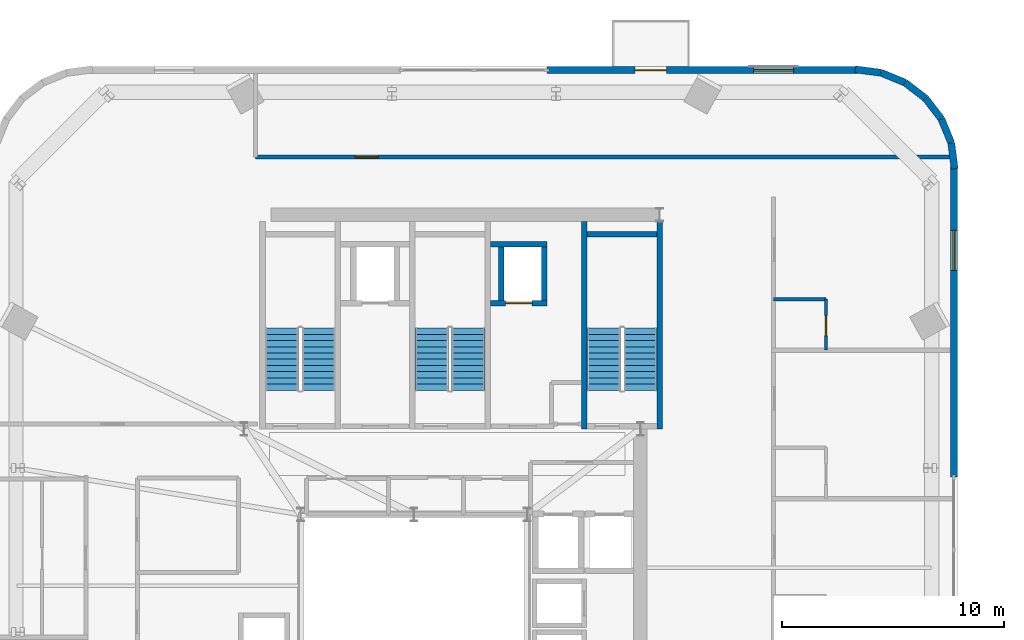
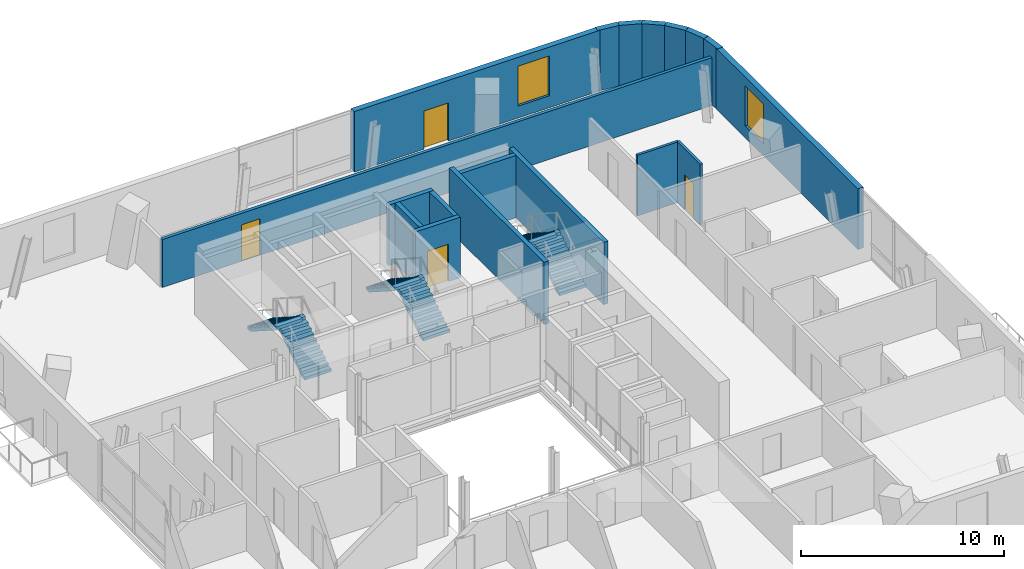
# One storey, part 10 of 14: 18 walls, 6 stair flights, 4 doors, 2 windows, 6 openings, 3 elements without a shape of their own.
"""IFC4 building model written with IfcOpenShell, lengths in metres."""

from ifc_helpers import new_model, si_unit, direction, frame, frame_2d, origin, place, context, subcontext, project, spatial, polyline, rectangle, outline, extrude, source, transform, mapped, material, layer, layer_set, type_object, element, fill, aggregate, save


model = new_model("IFC4")

# Units and contexts
model_context = context("Model", 3, precision=1e-05, world=origin(), true_north=direction((0.0, 1.0)))
body_context = subcontext(model_context, "Body", "Model", "MODEL_VIEW")
ifc_project = project(units=[si_unit("LENGTHUNIT", "METRE"), si_unit("AREAUNIT", "SQUARE_METRE"), si_unit("VOLUMEUNIT", "CUBIC_METRE"), si_unit("PLANEANGLEUNIT", "RADIAN"), si_unit("MASSUNIT", "GRAM", prefix="KILO")], contexts=[model_context])

# Site, building, storey
site_placement = place(None, origin())
site = spatial("IfcSite", under=ifc_project, at=site_placement, CompositionType="ELEMENT")
building_placement = place(site_placement, origin())
building = spatial("IfcBuilding", under=site, at=building_placement, Name="Vardaveli Station Tower", CompositionType="ELEMENT")
storey_placement = place(building_placement, frame((0.0, 0.0, 266.39990234375)))
storey = spatial("IfcBuildingStorey", under=building, at=storey_placement, Name="L68", CompositionType="ELEMENT", Elevation=266.39990234375)

# Walls
ifc_material_1 = material(Name="Precast concrete C45/55", Category="concrete")
ifc_layer_1 = layer(ifc_material_1, 0.320068359375, Name="Precast concrete C45/55")
ifc_layer_set_1 = layer_set([ifc_layer_1], Name="Precast concrete C45/55")
wall_type_1 = type_object("IfcWallType", Name="WAL-EXT-STONE-320", PredefinedType="SOLIDWALL", material=ifc_layer_set_1)
shared_shape_1 = source(origin(), body_context, "Body", "SweptSolid", [
    extrude(rectangle(XDim=1.169921875, YDim=0.320068359375, at=frame_2d((0.5849609375, 0.0))), origin(), (0.0, 0.0, 1.0), 3.650146484375),
])
wall_1_placement = place(storey_placement, frame((57.3408203125, 46.704833984375, 0.0), z_axis=(0.0, 0.0, 1.0), x_axis=(-0.99175563563, 0.128143510159, 0.0)))
element("IfcWall", 1, at=wall_1_placement, inside=storey, type_object=wall_type_1, Name="EW-L68-CR3-6", PredefinedType="SOLIDWALL", context=body_context, shape_type="MappedRepresentation", body=[
    mapped(shared_shape_1, transform((0.0, 0.0, 0.0), scale=1.0)),
])
shared_shape_2 = source(origin(), body_context, "Body", "SweptSolid", [
    extrude(rectangle(XDim=1.1689453125, YDim=0.320068359375, at=frame_2d((0.58447265625, 0.0))), origin(), (0.0, 0.0, 1.0), 3.650146484375),
])
for number, where, z_axis, x_axis, name in (
    (2, (60.5048828125, 43.540771484375, 0.0), (0.0, 0.0, 1.0), (-0.380949381552, 0.924595894808, 0.0), "EW-L68-CR3-2"),
    (3, (58.421630859375, 46.259521484375, 0.0), (0.0, 0.0, 1.0), (-0.924595894808, 0.380949381552, 0.0), "EW-L68-CR3-5"),
):
    element("IfcWall", number, at=place(storey_placement, frame(where, z_axis=z_axis, x_axis=x_axis)), inside=storey, type_object=wall_type_1, Name=name, PredefinedType="SOLIDWALL", context=body_context, shape_type="MappedRepresentation", body=[
        mapped(shared_shape_2, transform((0.0, 0.0, 0.0), scale=1.0)),
    ])
shared_shape_3 = source(origin(), body_context, "Body", "SweptSolid", [
    extrude(rectangle(XDim=1.168212890625, YDim=0.320068359375, at=frame_2d((0.583984375, 0.0))), origin(), (0.0, 0.0, 1.0), 3.650146484375),
])
for number, where, z_axis, x_axis, name in (
    (4, (60.0595703125, 44.62158203125, 0.0), (0.0, 0.0, 1.0), (-0.608326246486, 0.793687078033, 0.0), "EW-L68-CR3-3"),
    (5, (59.348876953125, 45.548828125, 0.0), (0.0, 0.0, 1.0), (-0.793687078033, 0.608326246486, 0.0), "EW-L68-CR3-4"),
):
    element("IfcWall", number, at=place(storey_placement, frame(where, z_axis=z_axis, x_axis=x_axis)), inside=storey, type_object=wall_type_1, Name=name, PredefinedType="SOLIDWALL", context=body_context, shape_type="MappedRepresentation", body=[
        mapped(shared_shape_3, transform((0.0, 0.0, 0.0), scale=1.0)),
    ])

# Wall, openings, door, window
shared_shape_4 = source(origin(), body_context, "Body", "SweptSolid", [
    extrude(rectangle(XDim=13.97998046875, YDim=0.320068359375, at=frame_2d((6.989990234375, 0.0))), origin(), (0.0, 0.0, 1.0), 3.650146484375),
])
wall_2_placement = place(storey_placement, frame((56.280029296875, 46.820068359375, 0.0), z_axis=(0.0, 0.0, 1.0), x_axis=(-1.0, 0.0, 0.0)))
wall_2 = element("IfcWall", 6, at=wall_2_placement, inside=storey, type_object=wall_type_1, Name="EW-L68-N1", PredefinedType="SOLIDWALL", context=body_context, shape_type="MappedRepresentation", body=[
    mapped(shared_shape_4, transform((0.0, 0.0, 0.0), scale=1.0)),
])
shared_shape_5 = source(origin(), body_context, "Body", "SweptSolid", [
    extrude(rectangle(XDim=1.39990234375, YDim=2.300048828125, at=frame_2d((0.699951171875, 1.14990234375))), frame((0.0, 0.169921875, 0.0), z_axis=(0.0, -1.0, 0.0), x_axis=(1.0, 0.0, 0.0)), (0.0, 0.0, 1.0), 0.340087890625),
])
opening_1_placement = place(wall_2_placement, frame((8.612548828125, 0.0, 0.0)))
opening_1 = element("IfcOpeningElement", 7, at=opening_1_placement, cuts=wall_2, Name="Opening D-09", PredefinedType="OPENING", context=body_context, shape_type="MappedRepresentation", body=[
    mapped(shared_shape_5, transform((0.0, 0.0, 0.0), scale=1.0)),
])
shared_shape_6 = source(origin(), body_context, "Body", "SweptSolid", [
    extrude(rectangle(XDim=1.800048828125, YDim=2.39990234375, at=frame_2d((0.89990234375, 1.199951171875))), frame((0.0, 0.169921875, 0.0), z_axis=(0.0, -1.0, 0.0), x_axis=(1.0, 0.0, 0.0)), (0.0, 0.0, 1.0), 0.340087890625),
])
opening_2_placement = place(wall_2_placement, frame((2.881103515625, 0.0, 0.719970703125)))
opening_2 = element("IfcOpeningElement", 8, at=opening_2_placement, cuts=wall_2, Name="Opening W-05", PredefinedType="OPENING", context=body_context, shape_type="MappedRepresentation", body=[
    mapped(shared_shape_6, transform((0.0, 0.0, 0.0), scale=1.0)),
])
ifc_material_2 = material(Name="Thermally broken aluminium glass", Category="aluminium")
door_type_1 = type_object("IfcDoorType", Name="DR-LOG-1400x2300", OperationType="DOUBLE_DOOR_SLIDING", PredefinedType="DOOR", material=ifc_material_2)
shared_shape_7 = source(origin(), body_context, "Body", "SweptSolid", [
    extrude(rectangle(XDim=1.39990234375, YDim=2.300048828125, at=frame_2d((0.699951171875, 1.14990234375))), frame((0.0, 0.02490234375, 0.0), z_axis=(0.0, -1.0, 0.0), x_axis=(1.0, 0.0, 0.0)), (0.0, 0.0, 1.0), 0.050048828125),
])
door_1_placement = place(opening_1_placement, frame((1.39990234375, 0.0, 0.0), z_axis=(0.0, 0.0, 1.0), x_axis=(-1.0, 0.0, 0.0)))
door_1 = element("IfcDoor", 9, at=door_1_placement, inside=storey, type_object=door_type_1, Name="DLG-L68-N", OperationType="DOUBLE_DOOR_SLIDING", OverallHeight=2.300048828125, OverallWidth=1.39990234375, PredefinedType="DOOR", context=body_context, shape_type="MappedRepresentation", body=[
    mapped(shared_shape_7, transform((0.0, 0.0, 0.0), scale=1.0)),
])
fill(opening_1, door_1)
ifc_material_3 = material(Name="Low-E solar-control glass", Category="glass")
window_type = type_object("IfcWindowType", Name="WIN-HIGH-1800x2400", PartitioningType="SINGLE_PANEL", PredefinedType="WINDOW", material=ifc_material_3)
shared_shape_8 = source(origin(), body_context, "Body", "SweptSolid", [
    extrude(rectangle(XDim=1.800048828125, YDim=2.39990234375, at=frame_2d((0.89990234375, 1.199951171875))), frame((0.0, 0.030029296875, 0.0), z_axis=(0.0, -1.0, 0.0), x_axis=(1.0, 0.0, 0.0)), (0.0, 0.0, 1.0), 0.06005859375),
])
window_1_placement = place(opening_2_placement, origin())
window_1 = element("IfcWindow", 10, at=window_1_placement, inside=storey, type_object=window_type, Name="WN-L68-N1", OverallHeight=2.39990234375, OverallWidth=1.800048828125, PartitioningType="SINGLE_PANEL", PredefinedType="WINDOW", context=body_context, shape_type="MappedRepresentation", body=[
    mapped(shared_shape_8, transform((0.0, 0.0, 0.0), scale=1.0)),
])
fill(opening_2, window_1)

# Wall, opening, window
wall_3_placement = place(storey_placement, frame((60.6201171875, 28.5, 0.0), z_axis=(0.0, 0.0, 1.0), x_axis=(0.0, 1.0, 0.0)))
wall_3 = element("IfcWall", 11, at=wall_3_placement, inside=storey, type_object=wall_type_1, Name="EW-L68-E2", PredefinedType="SOLIDWALL", context=body_context, shape_type="MappedRepresentation", body=[
    mapped(shared_shape_4, transform((0.0, 0.0, 0.0), scale=1.0)),
])
opening_3_placement = place(wall_3_placement, frame((9.299072265625, 0.0, 0.719970703125)))
opening_3 = element("IfcOpeningElement", 12, at=opening_3_placement, cuts=wall_3, Name="Opening W-05", PredefinedType="OPENING", context=body_context, shape_type="MappedRepresentation", body=[
    mapped(shared_shape_6, transform((0.0, 0.0, 0.0), scale=1.0)),
])
window_2_placement = place(opening_3_placement, origin())
window_2 = element("IfcWindow", 13, at=window_2_placement, inside=storey, type_object=window_type, Name="WN-L68-E2", OverallHeight=2.39990234375, OverallWidth=1.800048828125, PartitioningType="SINGLE_PANEL", PredefinedType="WINDOW", context=body_context, shape_type="MappedRepresentation", body=[
    mapped(shared_shape_8, transform((0.0, 0.0, 0.0), scale=1.0)),
])
fill(opening_3, window_2)

# Walls
shared_shape_9 = source(origin(), body_context, "Body", "SweptSolid", [
    extrude(rectangle(XDim=1.169677734375, YDim=0.320068359375, at=frame_2d((0.5849609375, 0.0))), origin(), (0.0, 0.0, 1.0), 3.650146484375),
])
wall_4_placement = place(storey_placement, frame((60.654541015625, 42.380615234375, 0.0), z_axis=(0.0, 0.0, 1.0), x_axis=(-0.127938226201, 0.991782138515, 0.0)))
element("IfcWall", 14, at=wall_4_placement, inside=storey, type_object=wall_type_1, Name="EW-L68-CR3-1", PredefinedType="SOLIDWALL", context=body_context, shape_type="MappedRepresentation", body=[
    mapped(shared_shape_9, transform((0.0, 0.0, 0.0), scale=1.0)),
])
ifc_material_4 = material(Name="Concrete C40/50", Category="concrete")
ifc_layer_2 = layer(ifc_material_4, 0.25, Name="Concrete C40/50")
ifc_layer_set_2 = layer_set([ifc_layer_2], Name="Concrete C40/50")
wall_type_2 = type_object("IfcWallType", Name="WAL-SHAFT-250", PredefinedType="SOLIDWALL", material=ifc_layer_set_2)
shared_shape_10 = source(origin(), body_context, "Body", "SweptSolid", [
    extrude(rectangle(XDim=9.35009765625, YDim=0.25, at=frame_2d((4.675048828125, 0.0))), origin(), (0.0, 0.0, 1.0), 3.75),
])
for number, where, z_axis, x_axis, name in (
    (15, (43.97509765625, 30.64990234375, 0.0), (0.0, 0.0, 1.0), (0.0, 1.0, 0.0), "W-L68-ST-3W"),
    (16, (47.375, 30.64990234375, 0.0), (0.0, 0.0, 1.0), (0.0, 1.0, 0.0), "W-L68-ST-3E"),
):
    element("IfcWall", number, at=place(storey_placement, frame(where, z_axis=z_axis, x_axis=x_axis)), inside=storey, type_object=wall_type_2, Name=name, PredefinedType="SOLIDWALL", context=body_context, shape_type="MappedRepresentation", body=[
        mapped(shared_shape_10, transform((0.0, 0.0, 0.0), scale=1.0)),
    ])
shared_shape_11 = source(origin(), body_context, "Body", "SweptSolid", [
    extrude(rectangle(XDim=3.14990234375, YDim=0.25, at=frame_2d((1.574951171875, 0.0))), origin(), (0.0, 0.0, 1.0), 3.75),
])
wall_5_placement = place(storey_placement, frame((44.10009765625, 39.425048828125, 0.0), z_axis=(0.0, 0.0, 1.0), x_axis=(1.0, 0.0, 0.0)))
element("IfcWall", 17, at=wall_5_placement, inside=storey, type_object=wall_type_2, Name="W-L68-ST-3N", PredefinedType="SOLIDWALL", context=body_context, shape_type="MappedRepresentation", body=[
    mapped(shared_shape_11, transform((0.0, 0.0, 0.0), scale=1.0)),
])
shared_shape_12 = source(origin(), body_context, "Body", "SweptSolid", [
    extrude(rectangle(XDim=2.400146484375, YDim=0.25, at=frame_2d((1.2001953125, 0.0))), origin(), (0.0, 0.0, 1.0), 3.650146484375),
])
for number, where, z_axis, x_axis, name in (
    (18, (40.22509765625, 36.449951171875, 0.0), (0.0, 0.0, 1.0), (0.0, 1.0, 0.0), "SHW-FFL-02-L68-W"),
    (19, (42.175048828125, 36.449951171875, 0.0), (0.0, 0.0, 1.0), (0.0, 1.0, 0.0), "SHW-FFL-02-L68-E"),
):
    element("IfcWall", number, at=place(storey_placement, frame(where, z_axis=z_axis, x_axis=x_axis)), inside=storey, type_object=wall_type_2, Name=name, PredefinedType="SOLIDWALL", context=body_context, shape_type="MappedRepresentation", body=[
        mapped(shared_shape_12, transform((0.0, 0.0, 0.0), scale=1.0)),
    ])

# Wall, opening, door
shared_shape_13 = source(origin(), body_context, "Body", "SweptSolid", [
    extrude(rectangle(XDim=2.550048828125, YDim=0.25, at=frame_2d((1.27490234375, 0.0))), origin(), (0.0, 0.0, 1.0), 3.650146484375),
])
wall_6_placement = place(storey_placement, frame((39.75, 36.324951171875, 0.0), z_axis=(0.0, 0.0, 1.0), x_axis=(1.0, 0.0, 0.0)))
wall_6 = element("IfcWall", 20, at=wall_6_placement, inside=storey, type_object=wall_type_2, Name="SHW-FFL-02-L68-S", PredefinedType="SOLIDWALL", context=body_context, shape_type="MappedRepresentation", body=[
    mapped(shared_shape_13, transform((0.0, 0.0, 0.0), scale=1.0)),
])
shared_shape_14 = source(origin(), body_context, "Body", "SweptSolid", [
    extrude(rectangle(XDim=1.199951171875, YDim=2.25, at=frame_2d((0.60009765625, 1.125))), frame((0.0, 0.135009765625, 0.0), z_axis=(0.0, -1.0, 0.0), x_axis=(1.0, 0.0, 0.0)), (0.0, 0.0, 1.0), 0.27001953125),
])
opening_4_placement = place(wall_6_placement, frame((0.675048828125, 0.0, 0.0)))
opening_4 = element("IfcOpeningElement", 21, at=opening_4_placement, cuts=wall_6, Name="Opening LD-02", PredefinedType="OPENING", context=body_context, shape_type="MappedRepresentation", body=[
    mapped(shared_shape_14, transform((0.0, 0.0, 0.0), scale=1.0)),
])
ifc_material_5 = material(Name="Brushed stainless steel", Category="steel")
door_type_2 = type_object("IfcDoorType", Name="DR-LD-1200x2250", OperationType="DOUBLE_DOOR_SLIDING", PredefinedType="DOOR", material=ifc_material_5)
shared_shape_15 = source(origin(), body_context, "Body", "SweptSolid", [
    extrude(rectangle(XDim=1.199951171875, YDim=2.25, at=frame_2d((0.60009765625, 1.125))), frame((0.0, 0.02490234375, 0.0), z_axis=(0.0, -1.0, 0.0), x_axis=(1.0, 0.0, 0.0)), (0.0, 0.0, 1.0), 0.050048828125),
])
door_2_placement = place(opening_4_placement, origin())
door_2 = element("IfcDoor", 22, at=door_2_placement, inside=storey, type_object=door_type_2, Name="LD-FFL-02-L68", OperationType="DOUBLE_DOOR_SLIDING", OverallHeight=2.25, OverallWidth=1.199951171875, PredefinedType="DOOR", context=body_context, shape_type="MappedRepresentation", body=[
    mapped(shared_shape_15, transform((0.0, 0.0, 0.0), scale=1.0)),
])
fill(opening_4, door_2)

# Wall
wall_7_placement = place(storey_placement, frame((39.75, 38.97509765625, 0.0), z_axis=(0.0, 0.0, 1.0), x_axis=(1.0, 0.0, 0.0)))
element("IfcWall", 23, at=wall_7_placement, inside=storey, type_object=wall_type_2, Name="SHW-FFL-02-L68-N", PredefinedType="SOLIDWALL", context=body_context, shape_type="MappedRepresentation", body=[
    mapped(shared_shape_13, transform((0.0, 0.0, 0.0), scale=1.0)),
])

# Wall, opening, door
ifc_material_6 = material(Name="Moisture-resistant stud partition")
ifc_layer_3 = layer(ifc_material_6, 0.14990234375, Name="Moisture-resistant stud partition")
ifc_layer_set_3 = layer_set([ifc_layer_3], Name="Moisture-resistant stud partition")
wall_type_3 = type_object("IfcWallType", Name="WAL-WET-150", PredefinedType="PARTITIONING", material=ifc_layer_set_3)
shared_shape_16 = source(origin(), body_context, "Body", "SweptSolid", [
    extrude(rectangle(XDim=2.2900390625, YDim=0.14990234375, at=frame_2d((1.14501953125, 0.0))), origin(), (0.0, 0.0, 1.0), 3.650146484375),
])
wall_8_placement = place(storey_placement, frame((54.860107421875, 34.212890625, 0.0), z_axis=(0.0, 0.0, 1.0), x_axis=(0.0, 1.0, 0.0)))
wall_8 = element("IfcWall", 24, at=wall_8_placement, inside=storey, type_object=wall_type_3, Name="W-L68-BE4-E", PredefinedType="PARTITIONING", context=body_context, shape_type="MappedRepresentation", body=[
    mapped(shared_shape_16, transform((0.0, 0.0, 0.0), scale=1.0)),
])
shared_shape_17 = source(origin(), body_context, "Body", "SweptSolid", [
    extrude(rectangle(XDim=0.89990234375, YDim=2.10009765625, at=frame_2d((0.449951171875, 1.050048828125))), frame((0.0, 0.0849609375, 0.0), z_axis=(0.0, -1.0, 0.0), x_axis=(1.0, 0.0, 0.0)), (0.0, 0.0, 1.0), 0.169921875),
])
opening_5_placement = place(wall_8_placement, frame((0.64990234375, 0.0, 0.0)))
opening_5 = element("IfcOpeningElement", 25, at=opening_5_placement, cuts=wall_8, Name="Opening D-08", PredefinedType="OPENING", context=body_context, shape_type="MappedRepresentation", body=[
    mapped(shared_shape_17, transform((0.0, 0.0, 0.0), scale=1.0)),
])
ifc_material_7 = material(Name="Moisture-resistant oak door")
door_type_3 = type_object("IfcDoorType", Name="DR-BATH-900x2100", OperationType="NOTDEFINED", PredefinedType="DOOR", material=ifc_material_7)
shared_shape_18 = source(origin(), body_context, "Body", "SweptSolid", [
    extrude(rectangle(XDim=0.89990234375, YDim=2.10009765625, at=frame_2d((0.449951171875, 1.050048828125))), frame((0.0, 0.02490234375, 0.0), z_axis=(0.0, -1.0, 0.0), x_axis=(1.0, 0.0, 0.0)), (0.0, 0.0, 1.0), 0.050048828125),
])
door_3_placement = place(opening_5_placement, origin())
door_3 = element("IfcDoor", 26, at=door_3_placement, inside=storey, type_object=door_type_3, Name="D-L68-BE4", OperationType="SINGLE_SWING_LEFT", OverallHeight=2.10009765625, OverallWidth=0.89990234375, PredefinedType="DOOR", context=body_context, shape_type="MappedRepresentation", body=[
    mapped(shared_shape_18, transform((0.0, 0.0, 0.0), scale=1.0)),
])
fill(opening_5, door_3)

# Wall
shared_shape_19 = source(origin(), body_context, "Body", "SweptSolid", [
    extrude(rectangle(XDim=2.360107421875, YDim=0.14990234375, at=frame_2d((1.18017578125, 0.0))), origin(), (0.0, 0.0, 1.0), 3.650146484375),
])
wall_9_placement = place(storey_placement, frame((52.5, 36.5029296875, 0.0), z_axis=(0.0, 0.0, 1.0), x_axis=(1.0, 0.0, 0.0)))
element("IfcWall", 27, at=wall_9_placement, inside=storey, type_object=wall_type_3, Name="W-L68-BE4-N", PredefinedType="PARTITIONING", context=body_context, shape_type="MappedRepresentation", body=[
    mapped(shared_shape_19, transform((0.0, 0.0, 0.0), scale=1.0)),
])

# Wall, opening, door
ifc_material_8 = material(Name="Fire-rated gypsum stud partition")
ifc_layer_4 = layer(ifc_material_8, 0.179931640625, Name="Fire-rated gypsum stud partition")
ifc_layer_set_4 = layer_set([ifc_layer_4], Name="Fire-rated gypsum stud partition")
wall_type_4 = type_object("IfcWallType", Name="WAL-CORR-180", PredefinedType="PARTITIONING", material=ifc_layer_set_4)
shared_shape_20 = source(origin(), body_context, "Body", "SweptSolid", [
    extrude(rectangle(XDim=31.2744140625, YDim=0.179931640625, at=frame_2d((15.63720703125, 0.0))), origin(), (0.0, 0.0, 1.0), 2.89208984375),
])
wall_10_placement = place(storey_placement, frame((29.14990234375, 42.89990234375, 0.0), z_axis=(0.0, 0.0, 1.0), x_axis=(1.0, 0.0, 0.0)))
wall_10 = element("IfcWall", 28, at=wall_10_placement, inside=storey, type_object=wall_type_4, Name="W-L68-NPS", PredefinedType="PARTITIONING", context=body_context, shape_type="MappedRepresentation", body=[
    mapped(shared_shape_20, transform((0.0, 0.0, 0.0), scale=1.0)),
])
shared_shape_21 = source(origin(), body_context, "Body", "SweptSolid", [
    extrude(rectangle(XDim=1.050048828125, YDim=2.199951171875, at=frame_2d((0.52490234375, 1.10009765625))), frame((0.0, 0.10009765625, 0.0), z_axis=(0.0, -1.0, 0.0), x_axis=(1.0, 0.0, 0.0)), (0.0, 0.0, 1.0), 0.199951171875),
])
opening_6_placement = place(wall_10_placement, frame((4.5, 0.0, 0.0)))
opening_6 = element("IfcOpeningElement", 29, at=opening_6_placement, cuts=wall_10, Name="Opening D-05", PredefinedType="OPENING", context=body_context, shape_type="MappedRepresentation", body=[
    mapped(shared_shape_21, transform((0.0, 0.0, 0.0), scale=1.0)),
])
ifc_material_9 = material(Name="Walnut veneer acoustic fire door")
door_type_4 = type_object("IfcDoorType", Name="DR-SUITE-1050x2200", OperationType="NOTDEFINED", PredefinedType="DOOR", material=ifc_material_9)
shared_shape_22 = source(origin(), body_context, "Body", "SweptSolid", [
    extrude(rectangle(XDim=1.050048828125, YDim=2.199951171875, at=frame_2d((0.52490234375, 1.10009765625))), frame((0.0, 0.02490234375, 0.0), z_axis=(0.0, -1.0, 0.0), x_axis=(1.0, 0.0, 0.0)), (0.0, 0.0, 1.0), 0.050048828125),
])
door_4_placement = place(opening_6_placement, origin())
door_4 = element("IfcDoor", 30, at=door_4_placement, inside=storey, type_object=door_type_4, Name="D-L68-NP1", OperationType="SINGLE_SWING_LEFT", OverallHeight=2.199951171875, OverallWidth=1.050048828125, PredefinedType="DOOR", context=body_context, shape_type="MappedRepresentation", body=[
    mapped(shared_shape_22, transform((0.0, 0.0, 0.0), scale=1.0)),
])
fill(opening_6, door_4)

# Stair, stair flights
stair_type = type_object("IfcStairType", Name="STR-CORE-1500", PredefinedType="HALF_TURN_STAIR", material=ifc_material_4)
stair_1_placement = place(storey_placement, origin())
stair_1 = element("IfcStair", 31, at=stair_1_placement, inside=storey, type_object=stair_type, Name="L68 ST-1", PredefinedType="HALF_TURN_STAIR")
stair_flight_type = type_object("IfcStairFlightType", Name="SFL-CORE-1500", PredefinedType="STRAIGHT", material=ifc_material_4)
shared_shape_23 = source(origin(), body_context, "Body", "SweptSolid", [
    extrude(outline(polyline([(0.0, 0.0), (0.0, 0.179443359375), (0.280029296875, 0.179443359375), (0.280029296875, 0.359130859375), (0.56005859375, 0.359130859375), (0.56005859375, 0.53857421875), (0.840087890625, 0.53857421875), (0.840087890625, 0.71826171875), (1.1201171875, 0.71826171875), (1.1201171875, 0.897705078125), (1.39990234375, 0.897705078125), (1.39990234375, 1.077392578125), (1.679931640625, 1.077392578125), (1.679931640625, 1.2568359375), (1.9599609375, 1.2568359375), (1.9599609375, 1.436279296875), (2.239990234375, 1.436279296875), (2.239990234375, 1.615966796875), (2.52001953125, 1.615966796875), (2.52001953125, 1.79541015625), (2.800048828125, 1.79541015625), (2.800048828125, 1.97509765625), (2.800048828125, 1.617431640625), (0.277587890625, 0.0), (0.0, 0.0)])), frame((0.0, 0.75, 0.0), z_axis=(0.0, -1.0, 0.0), x_axis=(1.0, 0.0, 0.0)), (0.0, 0.0, 1.0), 1.5),
])
stair_flight_1_placement = place(storey_placement, frame((32.0, 32.39990234375, 0.0), z_axis=(0.0, 0.0, 1.0), x_axis=(0.0, 1.0, 0.0)))
stair_flight_1 = element("IfcStairFlight", 32, at=stair_flight_1_placement, type_object=stair_flight_type, Name="ST-1 flight 1", NumberOfRisers=11, NumberOfTreads=10, PredefinedType="STRAIGHT", RiserHeight=0.179545455, TreadLength=0.28, context=body_context, shape_type="MappedRepresentation", body=[
    mapped(shared_shape_23, transform((0.0, 0.0, 0.0), scale=1.0)),
])
stair_flight_2_placement = place(storey_placement, frame((30.35009765625, 35.199951171875, 1.97509765625), z_axis=(0.0, 0.0, 1.0), x_axis=(0.0, -1.0, 0.0)))
stair_flight_2 = element("IfcStairFlight", 33, at=stair_flight_2_placement, type_object=stair_flight_type, Name="ST-1 flight 2", NumberOfRisers=11, NumberOfTreads=10, PredefinedType="STRAIGHT", RiserHeight=0.179545455, TreadLength=0.28, context=body_context, shape_type="MappedRepresentation", body=[
    mapped(shared_shape_23, transform((0.0, 0.0, 0.0), scale=1.0)),
])
aggregate(stair_1, [stair_flight_1, stair_flight_2])

stair_2_placement = place(storey_placement, origin())
stair_2 = element("IfcStair", 34, at=stair_2_placement, inside=storey, type_object=stair_type, Name="L68 ST-2", PredefinedType="HALF_TURN_STAIR")
stair_flight_3_placement = place(storey_placement, frame((38.75, 32.39990234375, 0.0), z_axis=(0.0, 0.0, 1.0), x_axis=(0.0, 1.0, 0.0)))
stair_flight_3 = element("IfcStairFlight", 35, at=stair_flight_3_placement, type_object=stair_flight_type, Name="ST-2 flight 1", NumberOfRisers=11, NumberOfTreads=10, PredefinedType="STRAIGHT", RiserHeight=0.179545455, TreadLength=0.28, context=body_context, shape_type="MappedRepresentation", body=[
    mapped(shared_shape_23, transform((0.0, 0.0, 0.0), scale=1.0)),
])
stair_flight_4_placement = place(storey_placement, frame((37.10009765625, 35.199951171875, 1.97509765625), z_axis=(0.0, 0.0, 1.0), x_axis=(0.0, -1.0, 0.0)))
stair_flight_4 = element("IfcStairFlight", 36, at=stair_flight_4_placement, type_object=stair_flight_type, Name="ST-2 flight 2", NumberOfRisers=11, NumberOfTreads=10, PredefinedType="STRAIGHT", RiserHeight=0.179545455, TreadLength=0.28, context=body_context, shape_type="MappedRepresentation", body=[
    mapped(shared_shape_23, transform((0.0, 0.0, 0.0), scale=1.0)),
])
aggregate(stair_2, [stair_flight_3, stair_flight_4])

stair_3_placement = place(storey_placement, origin())
stair_3 = element("IfcStair", 37, at=stair_3_placement, inside=storey, type_object=stair_type, Name="L68 ST-3", PredefinedType="HALF_TURN_STAIR")
stair_flight_5_placement = place(storey_placement, frame((46.5, 32.39990234375, 0.0), z_axis=(0.0, 0.0, 1.0), x_axis=(0.0, 1.0, 0.0)))
stair_flight_5 = element("IfcStairFlight", 38, at=stair_flight_5_placement, type_object=stair_flight_type, Name="ST-3 flight 1", NumberOfRisers=11, NumberOfTreads=10, PredefinedType="STRAIGHT", RiserHeight=0.179545455, TreadLength=0.28, context=body_context, shape_type="MappedRepresentation", body=[
    mapped(shared_shape_23, transform((0.0, 0.0, 0.0), scale=1.0)),
])
stair_flight_6_placement = place(storey_placement, frame((44.85009765625, 35.199951171875, 1.97509765625), z_axis=(0.0, 0.0, 1.0), x_axis=(0.0, -1.0, 0.0)))
stair_flight_6 = element("IfcStairFlight", 39, at=stair_flight_6_placement, type_object=stair_flight_type, Name="ST-3 flight 2", NumberOfRisers=11, NumberOfTreads=10, PredefinedType="STRAIGHT", RiserHeight=0.179545455, TreadLength=0.28, context=body_context, shape_type="MappedRepresentation", body=[
    mapped(shared_shape_23, transform((0.0, 0.0, 0.0), scale=1.0)),
])
aggregate(stair_3, [stair_flight_5, stair_flight_6])

save(model, "model.ifc")
